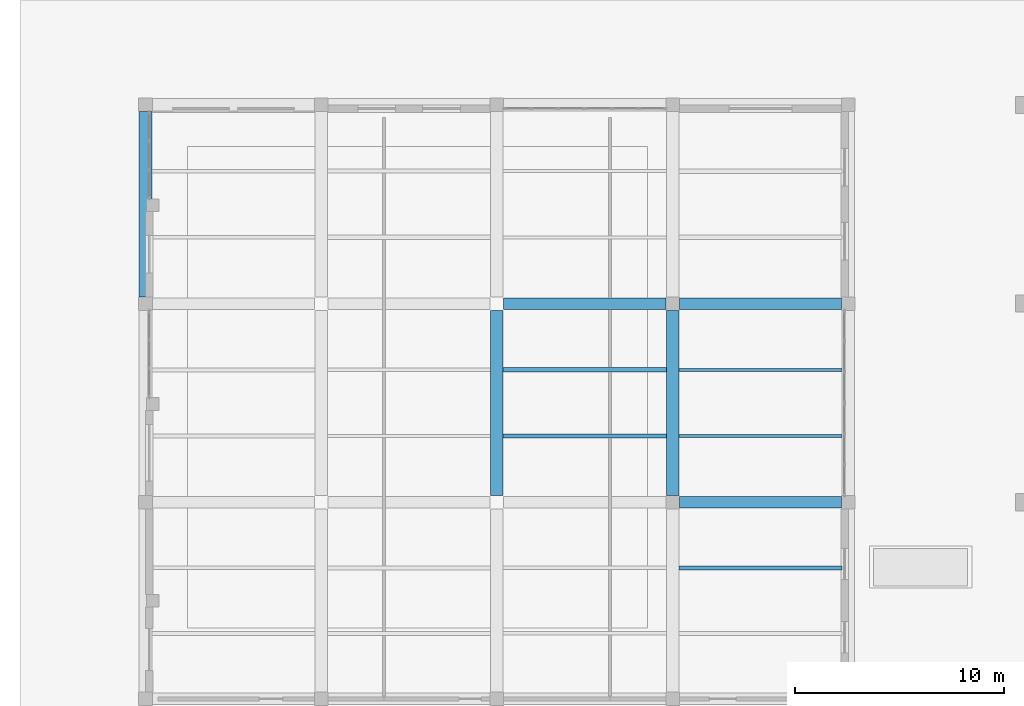
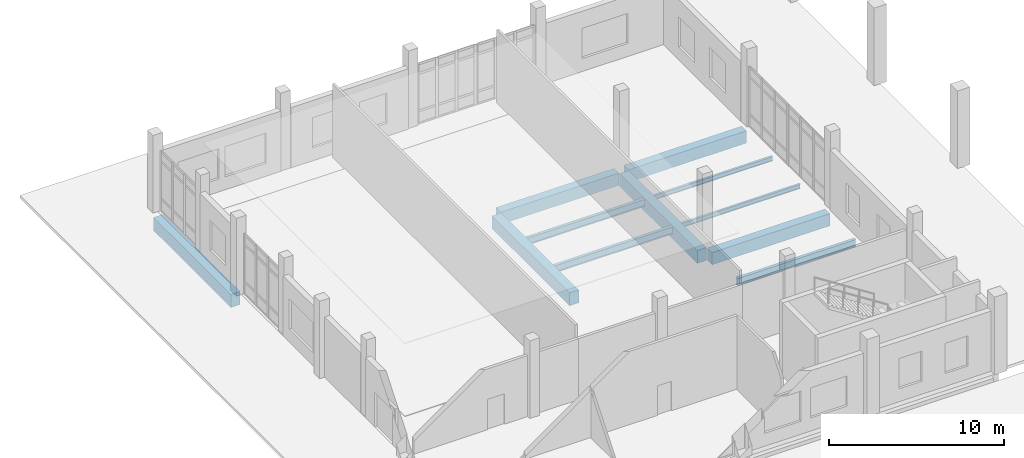
# One storey, part 23 of 79: 11 beams.
"""IFC4 building model written with IfcOpenShell, lengths in metres."""

from ifc_helpers import new_model, si_unit, direction, frame, origin, origin_2d, place, context, subcontext, project, spatial, rectangle, i_section, extrude, material, material_profile, profile_set, type_object, element, save


model = new_model("IFC4")

# Units and contexts
model_context = context("Model", 3, precision=1e-05, world=origin(), true_north=direction((0.0, 1.0)))
body_context = subcontext(model_context, "Body", "Model", "MODEL_VIEW")
ifc_project = project(units=[si_unit("LENGTHUNIT", "METRE"), si_unit("AREAUNIT", "SQUARE_METRE"), si_unit("VOLUMEUNIT", "CUBIC_METRE"), si_unit("PLANEANGLEUNIT", "RADIAN"), si_unit("MASSUNIT", "GRAM", prefix="KILO")], contexts=[model_context])

# Site, building, storey
site_placement = place(None, origin())
site = spatial("IfcSite", under=ifc_project, at=site_placement, CompositionType="ELEMENT")
building_placement = place(site_placement, origin())
building = spatial("IfcBuilding", under=site, at=building_placement, Name="Kelarvand Opera House", CompositionType="ELEMENT")
storey_placement = place(building_placement, origin())
storey = spatial("IfcBuildingStorey", under=building, at=storey_placement, Name="L00", CompositionType="ELEMENT", Elevation=0.0)

# Beams
ifc_material_1 = material(Name="Concrete C40/50", Category="concrete")
ifc_material_profile_1 = material_profile(ifc_material_1, rectangle(XDim=0.550048828125, YDim=0.85009765625, at=origin_2d()), Name="RC 550x850", Category="concrete")
ifc_profile_set_1 = profile_set([ifc_material_profile_1], Name="Concrete C40/50")
beam_type_1 = type_object("IfcBeamType", Name="Structural Beam RC 550x850 BM-RC550x850", PredefinedType="BEAM", material=ifc_profile_set_1)
for number, where, z_axis, x_axis, name in (
    (1, (34.52490234375, 106.0, -0.72509765625), (1.0, 0.0, 0.0), (0.0, 1.0, 0.0), "V3 L00 Beam BM-RC550x850"),
    (2, (26.125, 115.5, -0.72509765625), (1.0, 0.0, 0.0), (0.0, 1.0, 0.0), "V3 L00 Beam BM-RC550x850"),
    (3, (34.52490234375, 115.5, -0.72509765625), (1.0, 0.0, 0.0), (0.0, 1.0, 0.0), "V3 L00 Beam BM-RC550x850"),
):
    element("IfcBeam", number, at=place(storey_placement, frame(where, z_axis=z_axis, x_axis=x_axis)), inside=storey, type_object=beam_type_1, Name=name, PredefinedType="BEAM", context=body_context, shape_type="SweptSolid", body=[
        extrude(rectangle(XDim=0.550048828125, YDim=0.85009765625, at=origin_2d()), origin(), (0.0, 0.0, 1.0), 7.75),
    ])
ifc_material_profile_2 = material_profile(ifc_material_1, rectangle(XDim=0.60009765625, YDim=0.89990234375, at=origin_2d()), Name="RC 600x900", Category="concrete")
ifc_profile_set_2 = profile_set([ifc_material_profile_2], Name="Concrete C40/50")
beam_type_2 = type_object("IfcBeamType", Name="Structural Beam RC 600x900 BM-RC600x900", PredefinedType="BEAM", material=ifc_profile_set_2)
for number, where, z_axis, x_axis, name in (
    (4, (25.800048828125, 106.324951171875, -0.75), (0.0, 1.0, 0.0), (-1.0, 0.0, 0.0), "V3 L00 Beam BM-RC600x900"),
    (5, (34.199951171875, 106.324951171875, -0.75), (0.0, 1.0, 0.0), (-1.0, 0.0, 0.0), "V3 L00 Beam BM-RC600x900"),
):
    element("IfcBeam", number, at=place(storey_placement, frame(where, z_axis=z_axis, x_axis=x_axis)), inside=storey, type_object=beam_type_2, Name=name, PredefinedType="BEAM", context=body_context, shape_type="SweptSolid", body=[
        extrude(rectangle(XDim=0.60009765625, YDim=0.89990234375, at=origin_2d()), origin(), (0.0, 0.0, 1.0), 8.85009765625),
    ])
ifc_material_2 = material(Name="Steel S355", Category="steel")
ifc_material_profile_3 = material_profile(ifc_material_2, i_section(OverallWidth=0.14990234375, OverallDepth=0.300048828125, WebThickness=0.007080078125, FlangeThickness=0.0107421875, at=origin_2d()), Name="IPE 300", Category="steel")
ifc_profile_set_3 = profile_set([ifc_material_profile_3], Name="Steel S355")
beam_type_3 = type_object("IfcBeamType", Name="Structural Joist IPE 300 JS-IPE300", PredefinedType="JOIST", material=ifc_profile_set_3)
for number, where, z_axis, x_axis, name in (
    (6, (34.5, 109.166748046875, -0.449951171875), (1.0, 0.0, 0.0), (0.0, 1.0, 0.0), "V3 L00 Beam JS-IPE300"),
    (7, (34.5, 112.333251953125, -0.449951171875), (1.0, 0.0, 0.0), (0.0, 1.0, 0.0), "V3 L00 Beam JS-IPE300"),
):
    element("IfcBeam", number, at=place(storey_placement, frame(where, z_axis=z_axis, x_axis=x_axis)), inside=storey, type_object=beam_type_3, Name=name, PredefinedType="JOIST", context=body_context, shape_type="SweptSolid", body=[
        extrude(i_section(OverallWidth=0.14990234375, OverallDepth=0.300048828125, WebThickness=0.007080078125, FlangeThickness=0.0107421875, at=origin_2d()), origin(), (0.0, 0.0, 1.0), 7.800048828125),
    ])
ifc_material_profile_4 = material_profile(ifc_material_2, i_section(OverallWidth=0.199951171875, OverallDepth=0.5, WebThickness=0.01025390625, FlangeThickness=0.01611328125, at=origin_2d()), Name="IPE 500", Category="steel")
ifc_profile_set_4 = profile_set([ifc_material_profile_4], Name="Steel S355")
beam_type_4 = type_object("IfcBeamType", Name="Structural Joist IPE 500 JS-IPE500", PredefinedType="JOIST", material=ifc_profile_set_4)
for number, where, z_axis, x_axis, name in (
    (8, (26.10009765625, 109.166748046875, -0.550048828125), (1.0, 0.0, 0.0), (0.0, 1.0, 0.0), "V3 L00 Beam JS-IPE500"),
    (9, (26.10009765625, 112.333251953125, -0.550048828125), (1.0, 0.0, 0.0), (0.0, 1.0, 0.0), "V3 L00 Beam JS-IPE500"),
):
    element("IfcBeam", number, at=place(storey_placement, frame(where, z_axis=z_axis, x_axis=x_axis)), inside=storey, type_object=beam_type_4, Name=name, PredefinedType="JOIST", context=body_context, shape_type="SweptSolid", body=[
        extrude(i_section(OverallWidth=0.199951171875, OverallDepth=0.5, WebThickness=0.01025390625, FlangeThickness=0.01611328125, at=origin_2d()), origin(), (0.0, 0.0, 1.0), 7.7998046875),
    ])
beam_1_placement = place(storey_placement, frame((34.5, 102.86669921875, -0.550048828125), z_axis=(1.0, 0.0, 0.0), x_axis=(0.0, 1.0, 0.0)))
element("IfcBeam", 10, at=beam_1_placement, inside=storey, type_object=beam_type_4, Name="V3 L00 Beam JS-IPE500", PredefinedType="JOIST", context=body_context, shape_type="SweptSolid", body=[
    extrude(i_section(OverallWidth=0.199951171875, OverallDepth=0.5, WebThickness=0.01025390625, FlangeThickness=0.01611328125, at=origin_2d()), origin(), (0.0, 0.0, 1.0), 7.800048828125),
])
ifc_material_profile_5 = material_profile(ifc_material_1, rectangle(XDim=0.60009765625, YDim=0.89990234375, at=origin_2d()), Name="RC 600x900", Category="concrete")
ifc_profile_set_5 = profile_set([ifc_material_profile_5], Name="Concrete C40/50")
beam_type_5 = type_object("IfcBeamType", Name="Structural Spandrel RC 600x900 SP-RC600x900E", PredefinedType="SPANDREL", material=ifc_profile_set_5)
beam_2_placement = place(storey_placement, frame((9.0, 115.824951171875, -0.75), z_axis=(0.0, 1.0, 0.0), x_axis=(-1.0, 0.0, 0.0)))
element("IfcBeam", 11, at=beam_2_placement, inside=storey, type_object=beam_type_5, Name="V3 L00 Beam SP-RC600x900E", PredefinedType="SPANDREL", context=body_context, shape_type="SweptSolid", body=[
    extrude(rectangle(XDim=0.60009765625, YDim=0.89990234375, at=origin_2d()), origin(), (0.0, 0.0, 1.0), 8.85009765625),
])

save(model, "model.ifc")
